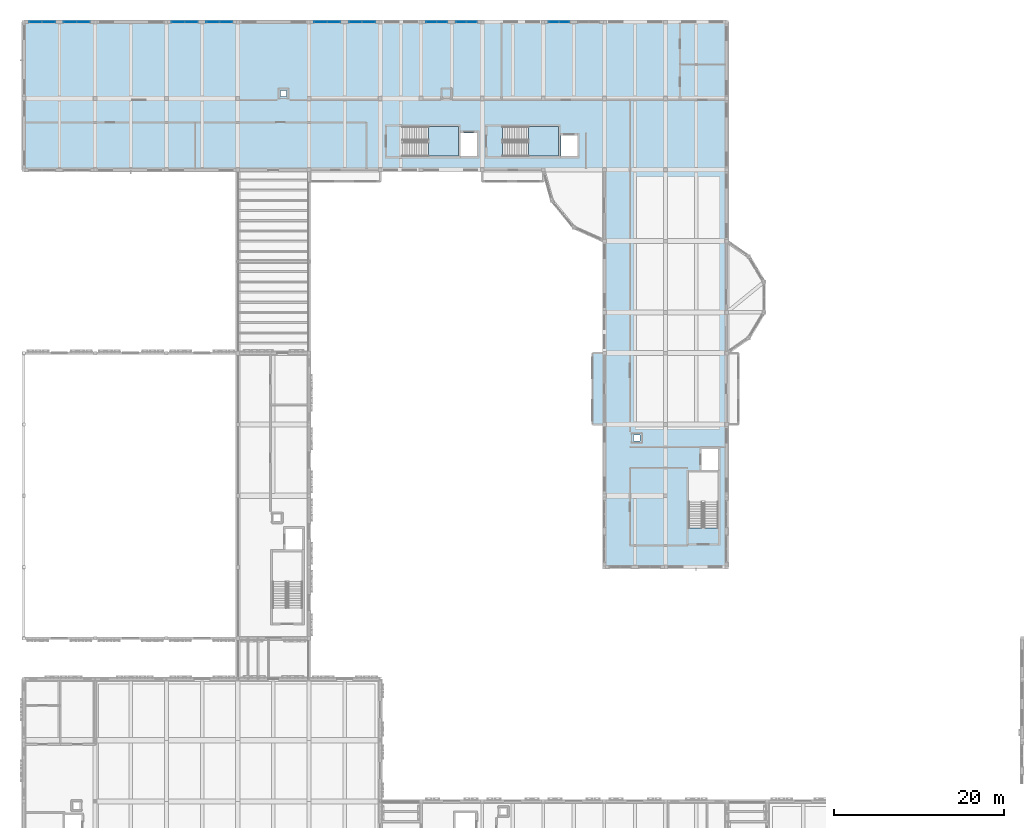
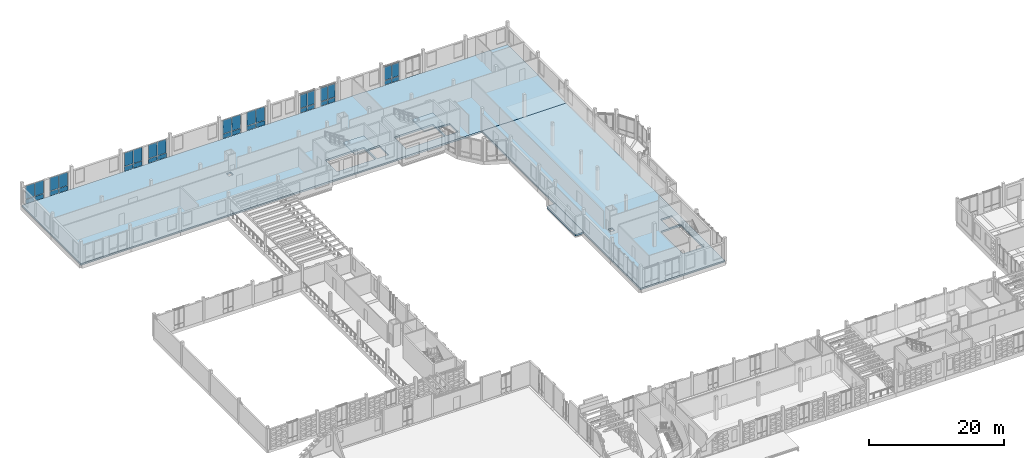
# One storey, part 52 of 99: 36 plates, 5 slabs, 11 elements without a shape of their own.
"""IFC4 building model written with IfcOpenShell, lengths in metres."""

from ifc_helpers import new_model, si_unit, direction, frame, origin, origin_2d, place, context, subcontext, project, spatial, polyline, rectangle, outline, extrude, material, layer, layer_set, type_object, element, aggregate, save


model = new_model("IFC4")

# Units and contexts
model_context = context("Model", 3, precision=1e-05, world=origin(), true_north=direction((0.0, 1.0)))
body_context = subcontext(model_context, "Body", "Model", "MODEL_VIEW")
ifc_project = project(units=[si_unit("LENGTHUNIT", "METRE"), si_unit("AREAUNIT", "SQUARE_METRE"), si_unit("VOLUMEUNIT", "CUBIC_METRE"), si_unit("PLANEANGLEUNIT", "RADIAN"), si_unit("MASSUNIT", "GRAM", prefix="KILO")], contexts=[model_context])

# Site, building, storey
site_placement = place(None, origin())
site = spatial("IfcSite", under=ifc_project, at=site_placement, CompositionType="ELEMENT")
building_placement = place(site_placement, origin())
building = spatial("IfcBuilding", under=site, at=building_placement, Name="Kahlenmark Community Centre", CompositionType="ELEMENT")
storey_placement = place(building_placement, frame((0.0, 0.0, 5.39990234375)))
storey = spatial("IfcBuildingStorey", under=building, at=storey_placement, Name="L01", CompositionType="ELEMENT", Elevation=5.39990234375)

# Curtain wall, plates
ifc_material_1 = material(Name="Anodised aluminium unitised curtain wall", Category="aluminium")
curtain_wall_type_1 = type_object("IfcCurtainWallType", Name="CWT-UNIT-254X337", PredefinedType="USERDEFINED", material=ifc_material_1)
curtain_wall_1_placement = place(storey_placement, origin())
curtain_wall_1 = element("IfcCurtainWall", 1, at=curtain_wall_1_placement, inside=storey, type_object=curtain_wall_type_1, Name="Unitised curtain wall CW-036", ObjectType="UNITISED CURTAIN WALL", PredefinedType="USERDEFINED")
ifc_material_2 = material(Name="Triple low-e solar-control glass unit", Category="glass")
ifc_layer_1 = layer(ifc_material_2, 0.0439453125)
ifc_layer_set_1 = layer_set([ifc_layer_1], Name="Triple low-e solar-control glass unit")
plate_type_1 = type_object("IfcPlateType", Name="PLT-CW-GLZ-1190X2440", PredefinedType="CURTAIN_PANEL", material=ifc_layer_set_1)
plate_1_placement = place(storey_placement, frame((56.784912109375, 115.0, 0.89013671875), z_axis=(0.0, 0.0, 1.0), x_axis=(-1.0, 0.0, 0.0)))
plate_1 = element("IfcPlate", 2, at=plate_1_placement, type_object=plate_type_1, Name="CW-036 glazed panel 1", PredefinedType="CURTAIN_PANEL", context=body_context, shape_type="SweptSolid", body=[
    extrude(rectangle(XDim=1.18994140625, YDim=0.0439453125, at=origin_2d()), origin(), (0.0, 0.0, 1.0), 2.43994140625),
])
plate_2_placement = place(storey_placement, frame((55.514892578125, 115.0, 0.89013671875), z_axis=(0.0, 0.0, 1.0), x_axis=(-1.0, 0.0, 0.0)))
plate_2 = element("IfcPlate", 3, at=plate_2_placement, type_object=plate_type_1, Name="CW-036 glazed panel 2", PredefinedType="CURTAIN_PANEL", context=body_context, shape_type="SweptSolid", body=[
    extrude(rectangle(XDim=1.18994140625, YDim=0.0439453125, at=origin_2d()), origin(), (0.0, 0.0, 1.0), 2.43994140625),
])

curtain_wall_2_placement = place(storey_placement, origin())
curtain_wall_2 = element("IfcCurtainWall", 4, at=curtain_wall_2_placement, inside=storey, type_object=curtain_wall_type_1, Name="Unitised curtain wall CW-037", ObjectType="UNITISED CURTAIN WALL", PredefinedType="USERDEFINED")
plate_3_placement = place(storey_placement, frame((53.284912109375, 115.0, 0.89013671875), z_axis=(0.0, 0.0, 1.0), x_axis=(-1.0, 0.0, 0.0)))
plate_3 = element("IfcPlate", 5, at=plate_3_placement, type_object=plate_type_1, Name="CW-037 glazed panel 1", PredefinedType="CURTAIN_PANEL", context=body_context, shape_type="SweptSolid", body=[
    extrude(rectangle(XDim=1.18994140625, YDim=0.0439453125, at=origin_2d()), origin(), (0.0, 0.0, 1.0), 2.43994140625),
])
plate_4_placement = place(storey_placement, frame((52.014892578125, 115.0, 0.89013671875), z_axis=(0.0, 0.0, 1.0), x_axis=(-1.0, 0.0, 0.0)))
plate_4 = element("IfcPlate", 6, at=plate_4_placement, type_object=plate_type_1, Name="CW-037 glazed panel 2", PredefinedType="CURTAIN_PANEL", context=body_context, shape_type="SweptSolid", body=[
    extrude(rectangle(XDim=1.18994140625, YDim=0.0439453125, at=origin_2d()), origin(), (0.0, 0.0, 1.0), 2.43994140625),
])

curtain_wall_3_placement = place(storey_placement, origin())
curtain_wall_3 = element("IfcCurtainWall", 7, at=curtain_wall_3_placement, inside=storey, type_object=curtain_wall_type_1, Name="Unitised curtain wall CW-039", ObjectType="UNITISED CURTAIN WALL", PredefinedType="USERDEFINED")
plate_5_placement = place(storey_placement, frame((67.68505859375, 115.0, 0.89013671875), z_axis=(0.0, 0.0, 1.0), x_axis=(-1.0, 0.0, 0.0)))
plate_5 = element("IfcPlate", 8, at=plate_5_placement, type_object=plate_type_1, Name="CW-039 glazed panel 1", PredefinedType="CURTAIN_PANEL", context=body_context, shape_type="SweptSolid", body=[
    extrude(rectangle(XDim=1.18994140625, YDim=0.0439453125, at=origin_2d()), origin(), (0.0, 0.0, 1.0), 2.43994140625),
])
plate_6_placement = place(storey_placement, frame((66.4150390625, 115.0, 0.89013671875), z_axis=(0.0, 0.0, 1.0), x_axis=(-1.0, 0.0, 0.0)))
plate_6 = element("IfcPlate", 9, at=plate_6_placement, type_object=plate_type_1, Name="CW-039 glazed panel 2", PredefinedType="CURTAIN_PANEL", context=body_context, shape_type="SweptSolid", body=[
    extrude(rectangle(XDim=1.18994140625, YDim=0.0439453125, at=origin_2d()), origin(), (0.0, 0.0, 1.0), 2.43994140625),
])

curtain_wall_type_2 = type_object("IfcCurtainWallType", Name="CWT-UNIT-314X331", PredefinedType="USERDEFINED", material=ifc_material_1)
curtain_wall_4_placement = place(storey_placement, origin())
curtain_wall_4 = element("IfcCurtainWall", 10, at=curtain_wall_4_placement, inside=storey, type_object=curtain_wall_type_2, Name="Unitised curtain wall CW-030", ObjectType="UNITISED CURTAIN WALL", PredefinedType="USERDEFINED")
ifc_layer_2 = layer(ifc_material_2, 0.0439453125)
ifc_layer_set_2 = layer_set([ifc_layer_2], Name="Triple low-e solar-control glass unit")
plate_type_2 = type_object("IfcPlateType", Name="PLT-CW-GLZ-1490X2380", PredefinedType="CURTAIN_PANEL", material=ifc_layer_set_2)
plate_7_placement = place(storey_placement, frame((11.034912109375, 115.0, 0.89013671875), z_axis=(0.0, 0.0, 1.0), x_axis=(-1.0, 0.0, 0.0)))
plate_7 = element("IfcPlate", 11, at=plate_7_placement, type_object=plate_type_2, Name="CW-030 glazed panel 1", PredefinedType="CURTAIN_PANEL", context=body_context, shape_type="SweptSolid", body=[
    extrude(rectangle(XDim=1.489990234375, YDim=0.0439453125, at=origin_2d()), origin(), (0.0, 0.0, 1.0), 2.3798828125),
])
plate_8_placement = place(storey_placement, frame((9.465087890625, 115.0, 0.89013671875), z_axis=(0.0, 0.0, 1.0), x_axis=(-1.0, 0.0, 0.0)))
plate_8 = element("IfcPlate", 12, at=plate_8_placement, type_object=plate_type_2, Name="CW-030 glazed panel 2", PredefinedType="CURTAIN_PANEL", context=body_context, shape_type="SweptSolid", body=[
    extrude(rectangle(XDim=1.489990234375, YDim=0.0439453125, at=origin_2d()), origin(), (0.0, 0.0, 1.0), 2.3798828125),
])

curtain_wall_5_placement = place(storey_placement, origin())
curtain_wall_5 = element("IfcCurtainWall", 13, at=curtain_wall_5_placement, inside=storey, type_object=curtain_wall_type_2, Name="Unitised curtain wall CW-031", ObjectType="UNITISED CURTAIN WALL", PredefinedType="USERDEFINED")
plate_9_placement = place(storey_placement, frame((6.93505859375, 115.0, 0.89013671875), z_axis=(0.0, 0.0, 1.0), x_axis=(-1.0, 0.0, 0.0)))
plate_9 = element("IfcPlate", 14, at=plate_9_placement, type_object=plate_type_2, Name="CW-031 glazed panel 1", PredefinedType="CURTAIN_PANEL", context=body_context, shape_type="SweptSolid", body=[
    extrude(rectangle(XDim=1.489990234375, YDim=0.0439453125, at=origin_2d()), origin(), (0.0, 0.0, 1.0), 2.3798828125),
])
plate_10_placement = place(storey_placement, frame((5.364990234375, 115.0, 0.89013671875), z_axis=(0.0, 0.0, 1.0), x_axis=(-1.0, 0.0, 0.0)))
plate_10 = element("IfcPlate", 15, at=plate_10_placement, type_object=plate_type_2, Name="CW-031 glazed panel 2", PredefinedType="CURTAIN_PANEL", context=body_context, shape_type="SweptSolid", body=[
    extrude(rectangle(XDim=1.489990234375, YDim=0.0439453125, at=origin_2d()), origin(), (0.0, 0.0, 1.0), 2.3798828125),
])

curtain_wall_type_3 = type_object("IfcCurtainWallType", Name="CWT-UNIT-314X337", PredefinedType="USERDEFINED", material=ifc_material_1)
curtain_wall_6_placement = place(storey_placement, origin())
curtain_wall_6 = element("IfcCurtainWall", 16, at=curtain_wall_6_placement, inside=storey, type_object=curtain_wall_type_3, Name="Unitised curtain wall CW-032", ObjectType="UNITISED CURTAIN WALL", PredefinedType="USERDEFINED")
ifc_layer_3 = layer(ifc_material_2, 0.0439453125)
ifc_layer_set_3 = layer_set([ifc_layer_3], Name="Triple low-e solar-control glass unit")
plate_type_3 = type_object("IfcPlateType", Name="PLT-CW-GLZ-1490X2440", PredefinedType="CURTAIN_PANEL", material=ifc_layer_set_3)
plate_11_placement = place(storey_placement, frame((27.8349609375, 115.0, 0.89013671875), z_axis=(0.0, 0.0, 1.0), x_axis=(-1.0, 0.0, 0.0)))
plate_11 = element("IfcPlate", 17, at=plate_11_placement, type_object=plate_type_3, Name="CW-032 glazed panel 1", PredefinedType="CURTAIN_PANEL", context=body_context, shape_type="SweptSolid", body=[
    extrude(rectangle(XDim=1.489990234375, YDim=0.0439453125, at=origin_2d()), origin(), (0.0, 0.0, 1.0), 2.43994140625),
])
plate_12_placement = place(storey_placement, frame((26.264892578125, 115.0, 0.89013671875), z_axis=(0.0, 0.0, 1.0), x_axis=(-1.0, 0.0, 0.0)))
plate_12 = element("IfcPlate", 18, at=plate_12_placement, type_object=plate_type_3, Name="CW-032 glazed panel 2", PredefinedType="CURTAIN_PANEL", context=body_context, shape_type="SweptSolid", body=[
    extrude(rectangle(XDim=1.489990234375, YDim=0.0439453125, at=origin_2d()), origin(), (0.0, 0.0, 1.0), 2.43994140625),
])

curtain_wall_7_placement = place(storey_placement, origin())
curtain_wall_7 = element("IfcCurtainWall", 19, at=curtain_wall_7_placement, inside=storey, type_object=curtain_wall_type_3, Name="Unitised curtain wall CW-033", ObjectType="UNITISED CURTAIN WALL", PredefinedType="USERDEFINED")
plate_13_placement = place(storey_placement, frame((23.735107421875, 115.0, 0.89013671875), z_axis=(0.0, 0.0, 1.0), x_axis=(-1.0, 0.0, 0.0)))
plate_13 = element("IfcPlate", 20, at=plate_13_placement, type_object=plate_type_3, Name="CW-033 glazed panel 1", PredefinedType="CURTAIN_PANEL", context=body_context, shape_type="SweptSolid", body=[
    extrude(rectangle(XDim=1.489990234375, YDim=0.0439453125, at=origin_2d()), origin(), (0.0, 0.0, 1.0), 2.43994140625),
])
plate_14_placement = place(storey_placement, frame((22.1650390625, 115.0, 0.89013671875), z_axis=(0.0, 0.0, 1.0), x_axis=(-1.0, 0.0, 0.0)))
plate_14 = element("IfcPlate", 21, at=plate_14_placement, type_object=plate_type_3, Name="CW-033 glazed panel 2", PredefinedType="CURTAIN_PANEL", context=body_context, shape_type="SweptSolid", body=[
    extrude(rectangle(XDim=1.489990234375, YDim=0.0439453125, at=origin_2d()), origin(), (0.0, 0.0, 1.0), 2.43994140625),
])

curtain_wall_8_placement = place(storey_placement, origin())
curtain_wall_8 = element("IfcCurtainWall", 22, at=curtain_wall_8_placement, inside=storey, type_object=curtain_wall_type_3, Name="Unitised curtain wall CW-034", ObjectType="UNITISED CURTAIN WALL", PredefinedType="USERDEFINED")
plate_15_placement = place(storey_placement, frame((44.635009765625, 115.0, 0.89013671875), z_axis=(0.0, 0.0, 1.0), x_axis=(-1.0, 0.0, 0.0)))
plate_15 = element("IfcPlate", 23, at=plate_15_placement, type_object=plate_type_3, Name="CW-034 glazed panel 1", PredefinedType="CURTAIN_PANEL", context=body_context, shape_type="SweptSolid", body=[
    extrude(rectangle(XDim=1.489990234375, YDim=0.0439453125, at=origin_2d()), origin(), (0.0, 0.0, 1.0), 2.43994140625),
])
plate_16_placement = place(storey_placement, frame((43.06494140625, 115.0, 0.89013671875), z_axis=(0.0, 0.0, 1.0), x_axis=(-1.0, 0.0, 0.0)))
plate_16 = element("IfcPlate", 24, at=plate_16_placement, type_object=plate_type_3, Name="CW-034 glazed panel 2", PredefinedType="CURTAIN_PANEL", context=body_context, shape_type="SweptSolid", body=[
    extrude(rectangle(XDim=1.489990234375, YDim=0.0439453125, at=origin_2d()), origin(), (0.0, 0.0, 1.0), 2.43994140625),
])

curtain_wall_9_placement = place(storey_placement, origin())
curtain_wall_9 = element("IfcCurtainWall", 25, at=curtain_wall_9_placement, inside=storey, type_object=curtain_wall_type_3, Name="Unitised curtain wall CW-035", ObjectType="UNITISED CURTAIN WALL", PredefinedType="USERDEFINED")
plate_17_placement = place(storey_placement, frame((40.534912109375, 115.0, 0.89013671875), z_axis=(0.0, 0.0, 1.0), x_axis=(-1.0, 0.0, 0.0)))
plate_17 = element("IfcPlate", 26, at=plate_17_placement, type_object=plate_type_3, Name="CW-035 glazed panel 1", PredefinedType="CURTAIN_PANEL", context=body_context, shape_type="SweptSolid", body=[
    extrude(rectangle(XDim=1.489990234375, YDim=0.0439453125, at=origin_2d()), origin(), (0.0, 0.0, 1.0), 2.43994140625),
])
plate_18_placement = place(storey_placement, frame((38.965087890625, 115.0, 0.89013671875), z_axis=(0.0, 0.0, 1.0), x_axis=(-1.0, 0.0, 0.0)))
plate_18 = element("IfcPlate", 27, at=plate_18_placement, type_object=plate_type_3, Name="CW-035 glazed panel 2", PredefinedType="CURTAIN_PANEL", context=body_context, shape_type="SweptSolid", body=[
    extrude(rectangle(XDim=1.489990234375, YDim=0.0439453125, at=origin_2d()), origin(), (0.0, 0.0, 1.0), 2.43994140625),
])

# Plate
ifc_material_3 = material(Name="Warm terracotta insulated spandrel cassette", Category="masonry")
ifc_layer_4 = layer(ifc_material_3, 0.06005859375)
ifc_layer_set_4 = layer_set([ifc_layer_4], Name="Warm terracotta insulated spandrel cassette")
plate_type_4 = type_object("IfcPlateType", Name="PLT-CW-SPD-1190X770", PredefinedType="CURTAIN_PANEL", material=ifc_layer_set_4)
plate_19_placement = place(storey_placement, frame((56.784912109375, 115.0, 0.0400390625), z_axis=(0.0, 0.0, 1.0), x_axis=(-1.0, 0.0, 0.0)))
plate_19 = element("IfcPlate", 28, at=plate_19_placement, type_object=plate_type_4, Name="CW-036 spandrel 1", PredefinedType="CURTAIN_PANEL", context=body_context, shape_type="SweptSolid", body=[
    extrude(rectangle(XDim=1.18994140625, YDim=0.06005859375, at=origin_2d()), origin(), (0.0, 0.0, 1.0), 0.77001953125),
])

plate_20_placement = place(storey_placement, frame((55.514892578125, 115.0, 0.0400390625), z_axis=(0.0, 0.0, 1.0), x_axis=(-1.0, 0.0, 0.0)))
plate_20 = element("IfcPlate", 29, at=plate_20_placement, type_object=plate_type_4, Name="CW-036 spandrel 2", PredefinedType="CURTAIN_PANEL", context=body_context, shape_type="SweptSolid", body=[
    extrude(rectangle(XDim=1.18994140625, YDim=0.06005859375, at=origin_2d()), origin(), (0.0, 0.0, 1.0), 0.77001953125),
])

aggregate(curtain_wall_1, [plate_19, plate_1, plate_20, plate_2])

plate_21_placement = place(storey_placement, frame((53.284912109375, 115.0, 0.0400390625), z_axis=(0.0, 0.0, 1.0), x_axis=(-1.0, 0.0, 0.0)))
plate_21 = element("IfcPlate", 30, at=plate_21_placement, type_object=plate_type_4, Name="CW-037 spandrel 1", PredefinedType="CURTAIN_PANEL", context=body_context, shape_type="SweptSolid", body=[
    extrude(rectangle(XDim=1.18994140625, YDim=0.06005859375, at=origin_2d()), origin(), (0.0, 0.0, 1.0), 0.77001953125),
])

plate_22_placement = place(storey_placement, frame((52.014892578125, 115.0, 0.0400390625), z_axis=(0.0, 0.0, 1.0), x_axis=(-1.0, 0.0, 0.0)))
plate_22 = element("IfcPlate", 31, at=plate_22_placement, type_object=plate_type_4, Name="CW-037 spandrel 2", PredefinedType="CURTAIN_PANEL", context=body_context, shape_type="SweptSolid", body=[
    extrude(rectangle(XDim=1.18994140625, YDim=0.06005859375, at=origin_2d()), origin(), (0.0, 0.0, 1.0), 0.77001953125),
])

aggregate(curtain_wall_2, [plate_21, plate_3, plate_22, plate_4])

plate_23_placement = place(storey_placement, frame((67.68505859375, 115.0, 0.0400390625), z_axis=(0.0, 0.0, 1.0), x_axis=(-1.0, 0.0, 0.0)))
plate_23 = element("IfcPlate", 32, at=plate_23_placement, type_object=plate_type_4, Name="CW-039 spandrel 1", PredefinedType="CURTAIN_PANEL", context=body_context, shape_type="SweptSolid", body=[
    extrude(rectangle(XDim=1.18994140625, YDim=0.06005859375, at=origin_2d()), origin(), (0.0, 0.0, 1.0), 0.77001953125),
])

plate_24_placement = place(storey_placement, frame((66.4150390625, 115.0, 0.0400390625), z_axis=(0.0, 0.0, 1.0), x_axis=(-1.0, 0.0, 0.0)))
plate_24 = element("IfcPlate", 33, at=plate_24_placement, type_object=plate_type_4, Name="CW-039 spandrel 2", PredefinedType="CURTAIN_PANEL", context=body_context, shape_type="SweptSolid", body=[
    extrude(rectangle(XDim=1.18994140625, YDim=0.06005859375, at=origin_2d()), origin(), (0.0, 0.0, 1.0), 0.77001953125),
])

aggregate(curtain_wall_3, [plate_23, plate_5, plate_24, plate_6])

ifc_layer_5 = layer(ifc_material_3, 0.06005859375)
ifc_layer_set_5 = layer_set([ifc_layer_5], Name="Warm terracotta insulated spandrel cassette")
plate_type_5 = type_object("IfcPlateType", Name="PLT-CW-SPD-1490X770", PredefinedType="CURTAIN_PANEL", material=ifc_layer_set_5)
plate_25_placement = place(storey_placement, frame((11.034912109375, 115.0, 0.0400390625), z_axis=(0.0, 0.0, 1.0), x_axis=(-1.0, 0.0, 0.0)))
plate_25 = element("IfcPlate", 34, at=plate_25_placement, type_object=plate_type_5, Name="CW-030 spandrel 1", PredefinedType="CURTAIN_PANEL", context=body_context, shape_type="SweptSolid", body=[
    extrude(rectangle(XDim=1.489990234375, YDim=0.06005859375, at=origin_2d()), origin(), (0.0, 0.0, 1.0), 0.77001953125),
])

plate_26_placement = place(storey_placement, frame((9.465087890625, 115.0, 0.0400390625), z_axis=(0.0, 0.0, 1.0), x_axis=(-1.0, 0.0, 0.0)))
plate_26 = element("IfcPlate", 35, at=plate_26_placement, type_object=plate_type_5, Name="CW-030 spandrel 2", PredefinedType="CURTAIN_PANEL", context=body_context, shape_type="SweptSolid", body=[
    extrude(rectangle(XDim=1.489990234375, YDim=0.06005859375, at=origin_2d()), origin(), (0.0, 0.0, 1.0), 0.77001953125),
])

aggregate(curtain_wall_4, [plate_25, plate_7, plate_26, plate_8])

plate_27_placement = place(storey_placement, frame((6.93505859375, 115.0, 0.0400390625), z_axis=(0.0, 0.0, 1.0), x_axis=(-1.0, 0.0, 0.0)))
plate_27 = element("IfcPlate", 36, at=plate_27_placement, type_object=plate_type_5, Name="CW-031 spandrel 1", PredefinedType="CURTAIN_PANEL", context=body_context, shape_type="SweptSolid", body=[
    extrude(rectangle(XDim=1.489990234375, YDim=0.06005859375, at=origin_2d()), origin(), (0.0, 0.0, 1.0), 0.77001953125),
])

plate_28_placement = place(storey_placement, frame((5.364990234375, 115.0, 0.0400390625), z_axis=(0.0, 0.0, 1.0), x_axis=(-1.0, 0.0, 0.0)))
plate_28 = element("IfcPlate", 37, at=plate_28_placement, type_object=plate_type_5, Name="CW-031 spandrel 2", PredefinedType="CURTAIN_PANEL", context=body_context, shape_type="SweptSolid", body=[
    extrude(rectangle(XDim=1.489990234375, YDim=0.06005859375, at=origin_2d()), origin(), (0.0, 0.0, 1.0), 0.77001953125),
])

aggregate(curtain_wall_5, [plate_27, plate_9, plate_28, plate_10])

plate_29_placement = place(storey_placement, frame((27.8349609375, 115.0, 0.0400390625), z_axis=(0.0, 0.0, 1.0), x_axis=(-1.0, 0.0, 0.0)))
plate_29 = element("IfcPlate", 38, at=plate_29_placement, type_object=plate_type_5, Name="CW-032 spandrel 1", PredefinedType="CURTAIN_PANEL", context=body_context, shape_type="SweptSolid", body=[
    extrude(rectangle(XDim=1.489990234375, YDim=0.06005859375, at=origin_2d()), origin(), (0.0, 0.0, 1.0), 0.77001953125),
])

plate_30_placement = place(storey_placement, frame((26.264892578125, 115.0, 0.0400390625), z_axis=(0.0, 0.0, 1.0), x_axis=(-1.0, 0.0, 0.0)))
plate_30 = element("IfcPlate", 39, at=plate_30_placement, type_object=plate_type_5, Name="CW-032 spandrel 2", PredefinedType="CURTAIN_PANEL", context=body_context, shape_type="SweptSolid", body=[
    extrude(rectangle(XDim=1.489990234375, YDim=0.06005859375, at=origin_2d()), origin(), (0.0, 0.0, 1.0), 0.77001953125),
])

aggregate(curtain_wall_6, [plate_29, plate_11, plate_30, plate_12])

plate_31_placement = place(storey_placement, frame((23.735107421875, 115.0, 0.0400390625), z_axis=(0.0, 0.0, 1.0), x_axis=(-1.0, 0.0, 0.0)))
plate_31 = element("IfcPlate", 40, at=plate_31_placement, type_object=plate_type_5, Name="CW-033 spandrel 1", PredefinedType="CURTAIN_PANEL", context=body_context, shape_type="SweptSolid", body=[
    extrude(rectangle(XDim=1.489990234375, YDim=0.06005859375, at=origin_2d()), origin(), (0.0, 0.0, 1.0), 0.77001953125),
])

plate_32_placement = place(storey_placement, frame((22.1650390625, 115.0, 0.0400390625), z_axis=(0.0, 0.0, 1.0), x_axis=(-1.0, 0.0, 0.0)))
plate_32 = element("IfcPlate", 41, at=plate_32_placement, type_object=plate_type_5, Name="CW-033 spandrel 2", PredefinedType="CURTAIN_PANEL", context=body_context, shape_type="SweptSolid", body=[
    extrude(rectangle(XDim=1.489990234375, YDim=0.06005859375, at=origin_2d()), origin(), (0.0, 0.0, 1.0), 0.77001953125),
])

aggregate(curtain_wall_7, [plate_31, plate_13, plate_32, plate_14])

plate_33_placement = place(storey_placement, frame((44.635009765625, 115.0, 0.0400390625), z_axis=(0.0, 0.0, 1.0), x_axis=(-1.0, 0.0, 0.0)))
plate_33 = element("IfcPlate", 42, at=plate_33_placement, type_object=plate_type_5, Name="CW-034 spandrel 1", PredefinedType="CURTAIN_PANEL", context=body_context, shape_type="SweptSolid", body=[
    extrude(rectangle(XDim=1.489990234375, YDim=0.06005859375, at=origin_2d()), origin(), (0.0, 0.0, 1.0), 0.77001953125),
])

plate_34_placement = place(storey_placement, frame((43.06494140625, 115.0, 0.0400390625), z_axis=(0.0, 0.0, 1.0), x_axis=(-1.0, 0.0, 0.0)))
plate_34 = element("IfcPlate", 43, at=plate_34_placement, type_object=plate_type_5, Name="CW-034 spandrel 2", PredefinedType="CURTAIN_PANEL", context=body_context, shape_type="SweptSolid", body=[
    extrude(rectangle(XDim=1.489990234375, YDim=0.06005859375, at=origin_2d()), origin(), (0.0, 0.0, 1.0), 0.77001953125),
])

aggregate(curtain_wall_8, [plate_33, plate_15, plate_34, plate_16])

plate_35_placement = place(storey_placement, frame((40.534912109375, 115.0, 0.0400390625), z_axis=(0.0, 0.0, 1.0), x_axis=(-1.0, 0.0, 0.0)))
plate_35 = element("IfcPlate", 44, at=plate_35_placement, type_object=plate_type_5, Name="CW-035 spandrel 1", PredefinedType="CURTAIN_PANEL", context=body_context, shape_type="SweptSolid", body=[
    extrude(rectangle(XDim=1.489990234375, YDim=0.06005859375, at=origin_2d()), origin(), (0.0, 0.0, 1.0), 0.77001953125),
])

plate_36_placement = place(storey_placement, frame((38.965087890625, 115.0, 0.0400390625), z_axis=(0.0, 0.0, 1.0), x_axis=(-1.0, 0.0, 0.0)))
plate_36 = element("IfcPlate", 45, at=plate_36_placement, type_object=plate_type_5, Name="CW-035 spandrel 2", PredefinedType="CURTAIN_PANEL", context=body_context, shape_type="SweptSolid", body=[
    extrude(rectangle(XDim=1.489990234375, YDim=0.06005859375, at=origin_2d()), origin(), (0.0, 0.0, 1.0), 0.77001953125),
])

aggregate(curtain_wall_9, [plate_35, plate_17, plate_36, plate_18])

# Stair, slab
ifc_material_4 = material(Name="Concrete C35/45", Category="concrete")
stair_type_1 = type_object("IfcStairType", Name="STT-CORE-ST-04-175", PredefinedType="HALF_TURN_STAIR", material=ifc_material_4)
stair_1_placement = place(storey_placement, origin())
stair_1 = element("IfcStair", 46, at=stair_1_placement, inside=storey, type_object=stair_type_1, Name="L01 Core K4 Escape Stair ST-04", PredefinedType="HALF_TURN_STAIR")
ifc_layer_6 = layer(ifc_material_4, 0.199951171875)
ifc_layer_set_6 = layer_set([ifc_layer_6], Name="Concrete C35/45")
slab_type_1 = type_object("IfcSlabType", Name="SLT-CORE-200", PredefinedType="LANDING", material=ifc_layer_set_6)
slab_1_placement = place(storey_placement, frame((0.0, 0.0, 1.900146484375)))
slab_1 = element("IfcSlab", 47, at=slab_1_placement, type_object=slab_type_1, Name="ST-04 landing 1", PredefinedType="LANDING", context=body_context, shape_type="SweptSolid", body=[
    extrude(outline(polyline([(51.679931640625, 99.199951171875), (55.199951171875, 99.199951171875), (55.199951171875, 102.699951171875), (51.679931640625, 102.699951171875), (51.679931640625, 99.199951171875)])), origin(), (0.0, 0.0, 1.0), 0.199951171875),
])
aggregate(stair_1, [slab_1])

stair_type_2 = type_object("IfcStairType", Name="STT-CORE-ST-05-175", PredefinedType="HALF_TURN_STAIR", material=ifc_material_4)
stair_2_placement = place(storey_placement, origin())
stair_2 = element("IfcStair", 48, at=stair_2_placement, inside=storey, type_object=stair_type_2, Name="L01 Core K5 Escape Stair ST-05", PredefinedType="HALF_TURN_STAIR")
slab_2_placement = place(storey_placement, frame((0.0, 0.0, 1.900146484375)))
slab_2 = element("IfcSlab", 49, at=slab_2_placement, type_object=slab_type_1, Name="ST-05 landing 1", PredefinedType="LANDING", context=body_context, shape_type="SweptSolid", body=[
    extrude(outline(polyline([(63.47998046875, 99.199951171875), (67.0, 99.199951171875), (67.0, 102.699951171875), (63.47998046875, 102.699951171875), (63.47998046875, 99.199951171875)])), origin(), (0.0, 0.0, 1.0), 0.199951171875),
])
aggregate(stair_2, [slab_2])

# Slabs
ifc_layer_7 = layer(ifc_material_4, 0.320068359375)
ifc_layer_set_7 = layer_set([ifc_layer_7], Name="Concrete C35/45")
slab_type_2 = type_object("IfcSlabType", Name="ST-FL-RC320", PredefinedType="FLOOR", material=ifc_layer_set_7)
slab_3_placement = place(storey_placement, frame((0.0, 0.0, -0.31982421875)))
element("IfcSlab", 50, at=slab_3_placement, inside=storey, type_object=slab_type_2, Name="L01 suspended floor slab V4N", PredefinedType="FLOOR", context=body_context, shape_type="SweptSolid", body=[
    extrude(outline(polyline([(4.0, 97.60009765625), (86.800048828125, 97.60009765625), (86.800048828125, 115.0), (4.0, 115.0), (4.0, 97.60009765625)]), holes=[polyline([(48.60595703125, 99.2060546875), (55.194091796875, 99.2060546875), (55.194091796875, 102.694091796875), (48.60595703125, 102.694091796875), (48.60595703125, 99.2060546875)]), polyline([(60.406005859375, 99.2060546875), (66.993896484375, 99.2060546875), (66.993896484375, 102.694091796875), (60.406005859375, 102.694091796875), (60.406005859375, 99.2060546875)]), polyline([(55.4560546875, 99.2060546875), (57.404052734375, 99.2060546875), (57.404052734375, 101.9541015625), (55.4560546875, 101.9541015625), (55.4560546875, 99.2060546875)]), polyline([(67.256103515625, 99.2060546875), (69.2041015625, 99.2060546875), (69.2041015625, 101.654052734375), (67.256103515625, 101.654052734375), (67.256103515625, 99.2060546875)]), polyline([(34.22607421875, 106.22607421875), (34.97412109375, 106.22607421875), (34.97412109375, 106.97412109375), (34.22607421875, 106.97412109375), (34.22607421875, 106.22607421875)])]), origin(), (0.0, 0.0, 1.0), 0.31982421875),
])
slab_4_placement = place(storey_placement, frame((0.0, 0.0, -0.31982421875)))
element("IfcSlab", 51, at=slab_4_placement, inside=storey, type_object=slab_type_2, Name="L01 suspended floor slab V4C", PredefinedType="FLOOR", context=body_context, shape_type="SweptSolid", body=[
    extrude(outline(polyline([(72.39990234375, 50.800048828125), (86.800048828125, 50.800048828125), (86.800048828125, 97.60009765625), (72.39990234375, 97.60009765625), (72.39990234375, 50.800048828125)]), holes=[polyline([(82.305908203125, 55.406005859375), (85.7939453125, 55.406005859375), (85.7939453125, 61.993896484375), (82.305908203125, 61.993896484375), (82.305908203125, 55.406005859375)]), polyline([(83.845947265625, 62.256103515625), (85.7939453125, 62.256103515625), (85.7939453125, 64.7041015625), (83.845947265625, 64.7041015625), (83.845947265625, 62.256103515625)]), polyline([(75.825927734375, 65.6259765625), (76.573974609375, 65.6259765625), (76.573974609375, 66.3740234375), (75.825927734375, 66.3740234375), (75.825927734375, 65.6259765625)])]), origin(), (0.0, 0.0, 1.0), 0.31982421875),
])
slab_5_placement = place(storey_placement, frame((0.0, 0.0, -0.31982421875)))
element("IfcSlab", 52, at=slab_5_placement, inside=storey, type_object=slab_type_2, Name="L01 reading-room bay oriel ORI-W1", PredefinedType="FLOOR", context=body_context, shape_type="SweptSolid", body=[
    extrude(outline(polyline([(71.0, 67.60009765625), (72.39990234375, 67.60009765625), (72.39990234375, 76.0), (71.0, 76.0), (71.0, 67.60009765625)])), origin(), (0.0, 0.0, 1.0), 0.31982421875),
])

save(model, "model.ifc")
